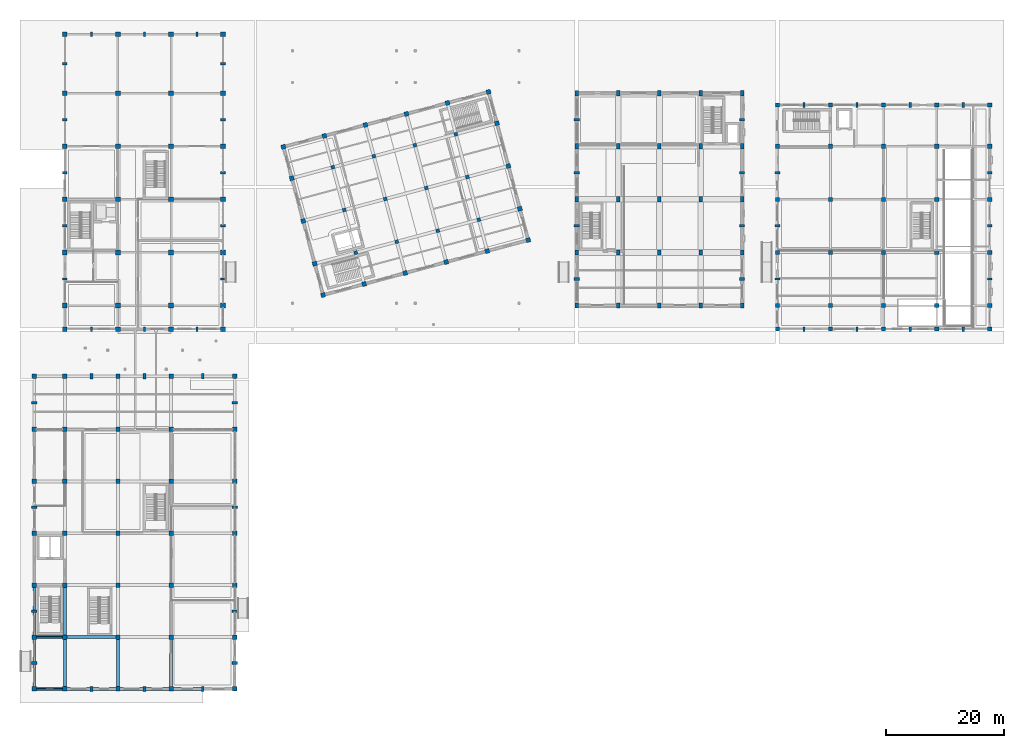
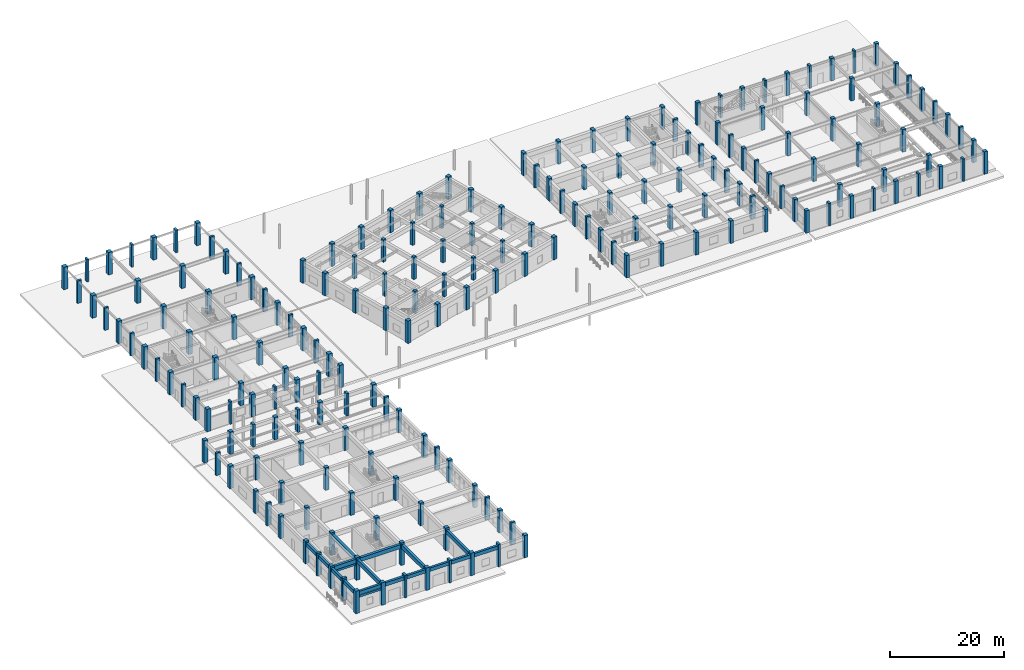
# One storey, part 1 of 47: 200 columns, 18 beams.
"""IFC4 building model written with IfcOpenShell, lengths in metres."""

from ifc_helpers import new_model, si_unit, direction, frame, origin, origin_2d, place, context, subcontext, project, spatial, rectangle, extrude, material, material_profile, profile_set, type_object, element, save


model = new_model("IFC4")

# Units and contexts
model_context = context("Model", 3, precision=1e-05, world=origin(), true_north=direction((0.0, 1.0)))
body_context = subcontext(model_context, "Body", "Model", "MODEL_VIEW")
ifc_project = project(units=[si_unit("LENGTHUNIT", "METRE"), si_unit("AREAUNIT", "SQUARE_METRE"), si_unit("VOLUMEUNIT", "CUBIC_METRE"), si_unit("PLANEANGLEUNIT", "RADIAN"), si_unit("MASSUNIT", "GRAM", prefix="KILO")], contexts=[model_context])

# Site, building, storey
site_placement = place(None, origin())
site = spatial("IfcSite", under=ifc_project, at=site_placement, CompositionType="ELEMENT")
building_placement = place(site_placement, origin())
building = spatial("IfcBuilding", under=site, at=building_placement, Name="Ventoquebrada Cableway Terminal", CompositionType="ELEMENT")
storey_placement = place(building_placement, origin())
storey = spatial("IfcBuildingStorey", under=building, at=storey_placement, Name="L00", CompositionType="ELEMENT", Elevation=0.0)

# Columns
ifc_material = material(Name="Concrete C40/50", Category="concrete")
ifc_material_profile_1 = material_profile(ifc_material, rectangle(XDim=0.60009765625, YDim=0.60009765625, at=origin_2d()), Name="RC-COL-600X600")
ifc_profile_set_1 = profile_set([ifc_material_profile_1], Name="Concrete C40/50")
column_type_1 = type_object("IfcColumnType", Name="COL-RC02", PredefinedType="COLUMN", material=ifc_profile_set_1)
for number, where, z_axis, x_axis, name in (
    (1, (57.509033203125, 76.9599609375, 0.0), (0.0, 0.0, 1.0), (0.965925826289, 0.258819045103, 0.0), "Structural column FC-0683"),
    (2, (55.568115234375, 84.205078125, 0.0), (0.0, 0.0, 1.0), (0.965925826289, 0.258819045103, 0.0), "Structural column FC-0686"),
    (3, (53.626953125, 91.448974609375, 0.0), (0.0, 0.0, 1.0), (0.965925826289, 0.258819045103, 0.0), "Structural column FC-0689"),
    (4, (64.464111328125, 78.823974609375, 0.0), (0.0, 0.0, 1.0), (0.965925826289, 0.258819045103, 0.0), "Structural column FC-0702"),
    (5, (62.52294921875, 86.068115234375, 0.0), (0.0, 0.0, 1.0), (0.965925826289, 0.258819045103, 0.0), "Structural column FC-0705"),
    (6, (60.58203125, 93.31298828125, 0.0), (0.0, 0.0, 1.0), (0.965925826289, 0.258819045103, 0.0), "Structural column FC-0708"),
    (7, (71.41796875, 80.68701171875, 0.0), (0.0, 0.0, 1.0), (0.965925826289, 0.258819045103, 0.0), "Structural column FC-0721"),
    (8, (69.47705078125, 87.931884765625, 0.0), (0.0, 0.0, 1.0), (0.965925826289, 0.258819045103, 0.0), "Structural column FC-0724"),
    (9, (67.535888671875, 95.176025390625, 0.0), (0.0, 0.0, 1.0), (0.965925826289, 0.258819045103, 0.0), "Structural column FC-0727"),
    (10, (78.373046875, 82.551025390625, 0.0), (0.0, 0.0, 1.0), (0.965925826289, 0.258819045103, 0.0), "Structural column FC-0740"),
    (11, (76.431884765625, 89.794921875, 0.0), (0.0, 0.0, 1.0), (0.965925826289, 0.258819045103, 0.0), "Structural column FC-0743"),
    (12, (74.490966796875, 97.0400390625, 0.0), (0.0, 0.0, 1.0), (0.965925826289, 0.258819045103, 0.0), "Structural column FC-0746"),
):
    element("IfcColumn", number, at=place(storey_placement, frame(where, z_axis=z_axis, x_axis=x_axis)), inside=storey, type_object=column_type_1, Name=name, PredefinedType="COLUMN", context=body_context, shape_type="SweptSolid", body=[
        extrude(rectangle(XDim=0.60009765625, YDim=0.60009765625, at=origin_2d()), origin(), (0.0, 0.0, 1.0), 4.800048828125),
    ])
ifc_material_profile_2 = material_profile(ifc_material, rectangle(XDim=0.699951171875, YDim=0.699951171875, at=origin_2d()), Name="RC-COL-700X700")
ifc_profile_set_2 = profile_set([ifc_material_profile_2], Name="Concrete C40/50")
column_type_2 = type_object("IfcColumnType", Name="COL-RC04", PredefinedType="COLUMN", material=ifc_profile_set_2)
for number, where, z_axis, x_axis, name in (
    (13, (129.0, 64.0, 0.0), (0.0, 0.0, 1.0), (1.0, 0.0, 0.0), "Structural column FC-0523"),
    (14, (129.0, 68.0, 0.0), (0.0, 0.0, 1.0), (1.0, 0.0, 0.0), "Structural column FC-0525"),
    (15, (129.0, 77.0, 0.0), (0.0, 0.0, 1.0), (1.0, 0.0, 0.0), "Structural column FC-0527"),
    (16, (129.0, 86.0, 0.0), (0.0, 0.0, 1.0), (1.0, 0.0, 0.0), "Structural column FC-0531"),
    (17, (129.0, 95.0, 0.0), (0.0, 0.0, 1.0), (1.0, 0.0, 0.0), "Structural column FC-0535"),
    (18, (129.0, 102.0, 0.0), (0.0, 0.0, 1.0), (1.0, 0.0, 0.0), "Structural column FC-0539"),
    (19, (138.0, 64.0, 0.0), (0.0, 0.0, 1.0), (1.0, 0.0, 0.0), "Structural column FC-0543"),
    (20, (138.0, 68.0, 0.0), (0.0, 0.0, 1.0), (1.0, 0.0, 0.0), "Structural column FC-0545"),
    (21, (138.0, 77.0, 0.0), (0.0, 0.0, 1.0), (1.0, 0.0, 0.0), "Structural column FC-0547"),
    (22, (138.0, 86.0, 0.0), (0.0, 0.0, 1.0), (1.0, 0.0, 0.0), "Structural column FC-0551"),
    (23, (138.0, 95.0, 0.0), (0.0, 0.0, 1.0), (1.0, 0.0, 0.0), "Structural column FC-0555"),
    (24, (138.0, 102.0, 0.0), (0.0, 0.0, 1.0), (1.0, 0.0, 0.0), "Structural column FC-0559"),
    (25, (147.0, 64.0, 0.0), (0.0, 0.0, 1.0), (1.0, 0.0, 0.0), "Structural column FC-0563"),
    (26, (147.0, 68.0, 0.0), (0.0, 0.0, 1.0), (1.0, 0.0, 0.0), "Structural column FC-0565"),
    (27, (147.0, 77.0, 0.0), (0.0, 0.0, 1.0), (1.0, 0.0, 0.0), "Structural column FC-0567"),
    (28, (147.0, 86.0, 0.0), (0.0, 0.0, 1.0), (1.0, 0.0, 0.0), "Structural column FC-0571"),
    (29, (147.0, 95.0, 0.0), (0.0, 0.0, 1.0), (1.0, 0.0, 0.0), "Structural column FC-0575"),
    (30, (147.0, 102.0, 0.0), (0.0, 0.0, 1.0), (1.0, 0.0, 0.0), "Structural column FC-0579"),
    (31, (156.0, 64.0, 0.0), (0.0, 0.0, 1.0), (1.0, 0.0, 0.0), "Structural column FC-0583"),
    (32, (156.0, 68.0, 0.0), (0.0, 0.0, 1.0), (1.0, 0.0, 0.0), "Structural column FC-0585"),
    (33, (156.0, 77.0, 0.0), (0.0, 0.0, 1.0), (1.0, 0.0, 0.0), "Structural column FC-0587"),
    (34, (156.0, 86.0, 0.0), (0.0, 0.0, 1.0), (1.0, 0.0, 0.0), "Structural column FC-0591"),
    (35, (156.0, 95.0, 0.0), (0.0, 0.0, 1.0), (1.0, 0.0, 0.0), "Structural column FC-0595"),
    (36, (156.0, 102.0, 0.0), (0.0, 0.0, 1.0), (1.0, 0.0, 0.0), "Structural column FC-0599"),
    (37, (165.0, 64.0, 0.0), (0.0, 0.0, 1.0), (1.0, 0.0, 0.0), "Structural column FC-0603"),
    (38, (165.0, 68.0, 0.0), (0.0, 0.0, 1.0), (1.0, 0.0, 0.0), "Structural column FC-0605"),
    (39, (165.0, 77.0, 0.0), (0.0, 0.0, 1.0), (1.0, 0.0, 0.0), "Structural column FC-0607"),
    (40, (165.0, 86.0, 0.0), (0.0, 0.0, 1.0), (1.0, 0.0, 0.0), "Structural column FC-0609"),
    (41, (165.0, 95.0, 0.0), (0.0, 0.0, 1.0), (1.0, 0.0, 0.0), "Structural column FC-0611"),
    (42, (165.0, 102.0, 0.0), (0.0, 0.0, 1.0), (1.0, 0.0, 0.0), "Structural column FC-0613"),
):
    element("IfcColumn", number, at=place(storey_placement, frame(where, z_axis=z_axis, x_axis=x_axis)), inside=storey, type_object=column_type_2, Name=name, PredefinedType="COLUMN", context=body_context, shape_type="SweptSolid", body=[
        extrude(rectangle(XDim=0.699951171875, YDim=0.699951171875, at=origin_2d()), origin(), (0.0, 0.0, 1.0), 4.800048828125),
    ])
ifc_material_profile_3 = material_profile(ifc_material, rectangle(XDim=0.75, YDim=0.75, at=origin_2d()), Name="RC-COL-750X750")
ifc_profile_set_3 = profile_set([ifc_material_profile_3], Name="Concrete C40/50")
column_type_3 = type_object("IfcColumnType", Name="COL-RC05", PredefinedType="COLUMN", material=ifc_profile_set_3)
for number, where, z_axis, x_axis, name in (
    (43, (3.0, 3.0, 0.0), (0.0, 0.0, 1.0), (1.0, 0.0, 0.0), "Structural column FC-0002"),
    (44, (3.0, 11.800048828125, 0.0), (0.0, 0.0, 1.0), (1.0, 0.0, 0.0), "Structural column FC-0005"),
    (45, (3.0, 20.60009765625, 0.0), (0.0, 0.0, 1.0), (1.0, 0.0, 0.0), "Structural column FC-0010"),
    (46, (3.0, 29.39990234375, 0.0), (0.0, 0.0, 1.0), (1.0, 0.0, 0.0), "Structural column FC-0015"),
    (47, (3.0, 38.199951171875, 0.0), (0.0, 0.0, 1.0), (1.0, 0.0, 0.0), "Structural column FC-0020"),
    (48, (3.0, 47.0, 0.0), (0.0, 0.0, 1.0), (1.0, 0.0, 0.0), "Structural column FC-0025"),
    (49, (3.0, 56.0, 0.0), (0.0, 0.0, 1.0), (1.0, 0.0, 0.0), "Structural column FC-0028"),
    (50, (8.199951171875, 3.0, 0.0), (0.0, 0.0, 1.0), (1.0, 0.0, 0.0), "Structural column FC-0030"),
    (51, (8.199951171875, 11.800048828125, 0.0), (0.0, 0.0, 1.0), (1.0, 0.0, 0.0), "Structural column FC-0033"),
    (52, (8.199951171875, 20.60009765625, 0.0), (0.0, 0.0, 1.0), (1.0, 0.0, 0.0), "Structural column FC-0038"),
    (53, (8.199951171875, 29.39990234375, 0.0), (0.0, 0.0, 1.0), (1.0, 0.0, 0.0), "Structural column FC-0043"),
    (54, (8.199951171875, 38.199951171875, 0.0), (0.0, 0.0, 1.0), (1.0, 0.0, 0.0), "Structural column FC-0048"),
    (55, (8.199951171875, 47.0, 0.0), (0.0, 0.0, 1.0), (1.0, 0.0, 0.0), "Structural column FC-0053"),
    (56, (8.199951171875, 56.0, 0.0), (0.0, 0.0, 1.0), (1.0, 0.0, 0.0), "Structural column FC-0056"),
    (57, (17.199951171875, 3.0, 0.0), (0.0, 0.0, 1.0), (1.0, 0.0, 0.0), "Structural column FC-0058"),
    (58, (17.199951171875, 11.800048828125, 0.0), (0.0, 0.0, 1.0), (1.0, 0.0, 0.0), "Structural column FC-0061"),
    (59, (17.199951171875, 20.60009765625, 0.0), (0.0, 0.0, 1.0), (1.0, 0.0, 0.0), "Structural column FC-0066"),
    (60, (17.199951171875, 29.39990234375, 0.0), (0.0, 0.0, 1.0), (1.0, 0.0, 0.0), "Structural column FC-0071"),
    (61, (17.199951171875, 38.199951171875, 0.0), (0.0, 0.0, 1.0), (1.0, 0.0, 0.0), "Structural column FC-0076"),
    (62, (17.199951171875, 47.0, 0.0), (0.0, 0.0, 1.0), (1.0, 0.0, 0.0), "Structural column FC-0081"),
    (63, (17.199951171875, 56.0, 0.0), (0.0, 0.0, 1.0), (1.0, 0.0, 0.0), "Structural column FC-0084"),
    (64, (26.199951171875, 3.0, 0.0), (0.0, 0.0, 1.0), (1.0, 0.0, 0.0), "Structural column FC-0086"),
    (65, (26.199951171875, 11.800048828125, 0.0), (0.0, 0.0, 1.0), (1.0, 0.0, 0.0), "Structural column FC-0089"),
    (66, (26.199951171875, 20.60009765625, 0.0), (0.0, 0.0, 1.0), (1.0, 0.0, 0.0), "Structural column FC-0094"),
    (67, (26.199951171875, 29.39990234375, 0.0), (0.0, 0.0, 1.0), (1.0, 0.0, 0.0), "Structural column FC-0099"),
    (68, (26.199951171875, 38.199951171875, 0.0), (0.0, 0.0, 1.0), (1.0, 0.0, 0.0), "Structural column FC-0104"),
    (69, (26.199951171875, 47.0, 0.0), (0.0, 0.0, 1.0), (1.0, 0.0, 0.0), "Structural column FC-0109"),
    (70, (26.199951171875, 56.0, 0.0), (0.0, 0.0, 1.0), (1.0, 0.0, 0.0), "Structural column FC-0112"),
    (71, (37.0, 3.0, 0.0), (0.0, 0.0, 1.0), (1.0, 0.0, 0.0), "Structural column FC-0114"),
    (72, (37.0, 11.800048828125, 0.0), (0.0, 0.0, 1.0), (1.0, 0.0, 0.0), "Structural column FC-0117"),
    (73, (37.0, 20.60009765625, 0.0), (0.0, 0.0, 1.0), (1.0, 0.0, 0.0), "Structural column FC-0120"),
    (74, (37.0, 29.39990234375, 0.0), (0.0, 0.0, 1.0), (1.0, 0.0, 0.0), "Structural column FC-0123"),
    (75, (37.0, 38.199951171875, 0.0), (0.0, 0.0, 1.0), (1.0, 0.0, 0.0), "Structural column FC-0126"),
    (76, (37.0, 47.0, 0.0), (0.0, 0.0, 1.0), (1.0, 0.0, 0.0), "Structural column FC-0129"),
    (77, (37.0, 56.0, 0.0), (0.0, 0.0, 1.0), (1.0, 0.0, 0.0), "Structural column FC-0132"),
    (78, (51.97802734375, 69.783935546875, 0.0), (0.0, 0.0, 1.0), (0.965925826289, 0.258819045103, 0.0), "Structural column FC-0653"),
    (79, (50.553955078125, 75.096923828125, 0.0), (0.0, 0.0, 1.0), (0.965925826289, 0.258819045103, 0.0), "Structural column FC-0658"),
    (80, (48.613037109375, 82.341064453125, 0.0), (0.0, 0.0, 1.0), (0.965925826289, 0.258819045103, 0.0), "Structural column FC-0663"),
    (81, (46.672119140625, 89.5859375, 0.0), (0.0, 0.0, 1.0), (0.965925826289, 0.258819045103, 0.0), "Structural column FC-0668"),
    (82, (45.2490234375, 94.89794921875, 0.0), (0.0, 0.0, 1.0), (0.965925826289, 0.258819045103, 0.0), "Structural column FC-0673"),
    (83, (58.93310546875, 71.64794921875, 0.0), (0.0, 0.0, 1.0), (0.965925826289, 0.258819045103, 0.0), "Structural column FC-0678"),
    (84, (52.202880859375, 96.761962890625, 0.0), (0.0, 0.0, 1.0), (0.965925826289, 0.258819045103, 0.0), "Structural column FC-0692"),
    (85, (65.886962890625, 73.510986328125, 0.0), (0.0, 0.0, 1.0), (0.965925826289, 0.258819045103, 0.0), "Structural column FC-0697"),
    (86, (59.157958984375, 98.625, 0.0), (0.0, 0.0, 1.0), (0.965925826289, 0.258819045103, 0.0), "Structural column FC-0711"),
    (87, (72.842041015625, 75.375, 0.0), (0.0, 0.0, 1.0), (0.965925826289, 0.258819045103, 0.0), "Structural column FC-0716"),
    (88, (66.113037109375, 100.489013671875, 0.0), (0.0, 0.0, 1.0), (0.965925826289, 0.258819045103, 0.0), "Structural column FC-0730"),
    (89, (79.797119140625, 77.238037109375, 0.0), (0.0, 0.0, 1.0), (0.965925826289, 0.258819045103, 0.0), "Structural column FC-0735"),
    (90, (73.06689453125, 102.35205078125, 0.0), (0.0, 0.0, 1.0), (0.965925826289, 0.258819045103, 0.0), "Structural column FC-0749"),
    (91, (86.7509765625, 79.10205078125, 0.0), (0.0, 0.0, 1.0), (0.965925826289, 0.258819045103, 0.0), "Structural column FC-0754"),
    (92, (85.327880859375, 84.4140625, 0.0), (0.0, 0.0, 1.0), (0.965925826289, 0.258819045103, 0.0), "Structural column FC-0759"),
    (93, (83.386962890625, 91.658935546875, 0.0), (0.0, 0.0, 1.0), (0.965925826289, 0.258819045103, 0.0), "Structural column FC-0764"),
    (94, (81.446044921875, 98.903076171875, 0.0), (0.0, 0.0, 1.0), (0.965925826289, 0.258819045103, 0.0), "Structural column FC-0769"),
    (95, (80.02197265625, 104.216064453125, 0.0), (0.0, 0.0, 1.0), (0.965925826289, 0.258819045103, 0.0), "Structural column FC-0774"),
):
    element("IfcColumn", number, at=place(storey_placement, frame(where, z_axis=z_axis, x_axis=x_axis)), inside=storey, type_object=column_type_3, Name=name, PredefinedType="COLUMN", context=body_context, shape_type="SweptSolid", body=[
        extrude(rectangle(XDim=0.75, YDim=0.75, at=origin_2d()), origin(), (0.0, 0.0, 1.0), 4.800048828125),
    ])
ifc_material_profile_4 = material_profile(ifc_material, rectangle(XDim=0.800048828125, YDim=0.800048828125, at=origin_2d()), Name="RC-COL-800X800")
ifc_profile_set_4 = profile_set([ifc_material_profile_4], Name="Concrete C40/50")
column_type_4 = type_object("IfcColumnType", Name="COL-RC06", PredefinedType="COLUMN", material=ifc_profile_set_4)
for number, where, z_axis, x_axis, name in (
    (96, (8.199951171875, 64.0, 0.0), (0.0, 0.0, 1.0), (1.0, 0.0, 0.0), "Structural column FC-0175"),
    (97, (8.199951171875, 68.0, 0.0), (0.0, 0.0, 1.0), (1.0, 0.0, 0.0), "Structural column FC-0178"),
    (98, (8.199951171875, 77.0, 0.0), (0.0, 0.0, 1.0), (1.0, 0.0, 0.0), "Structural column FC-0182"),
    (99, (8.199951171875, 86.0, 0.0), (0.0, 0.0, 1.0), (1.0, 0.0, 0.0), "Structural column FC-0189"),
    (100, (8.199951171875, 95.0, 0.0), (0.0, 0.0, 1.0), (1.0, 0.0, 0.0), "Structural column FC-0196"),
    (101, (8.199951171875, 104.0, 0.0), (0.0, 0.0, 1.0), (1.0, 0.0, 0.0), "Structural column FC-0203"),
    (102, (8.199951171875, 114.0, 0.0), (0.0, 0.0, 1.0), (1.0, 0.0, 0.0), "Structural column FC-0210"),
    (103, (17.199951171875, 64.0, 0.0), (0.0, 0.0, 1.0), (1.0, 0.0, 0.0), "Structural column FC-0215"),
    (104, (17.199951171875, 68.0, 0.0), (0.0, 0.0, 1.0), (1.0, 0.0, 0.0), "Structural column FC-0218"),
    (105, (17.199951171875, 77.0, 0.0), (0.0, 0.0, 1.0), (1.0, 0.0, 0.0), "Structural column FC-0222"),
    (106, (17.199951171875, 86.0, 0.0), (0.0, 0.0, 1.0), (1.0, 0.0, 0.0), "Structural column FC-0229"),
    (107, (17.199951171875, 95.0, 0.0), (0.0, 0.0, 1.0), (1.0, 0.0, 0.0), "Structural column FC-0236"),
    (108, (17.199951171875, 104.0, 0.0), (0.0, 0.0, 1.0), (1.0, 0.0, 0.0), "Structural column FC-0243"),
    (109, (17.199951171875, 114.0, 0.0), (0.0, 0.0, 1.0), (1.0, 0.0, 0.0), "Structural column FC-0250"),
    (110, (26.199951171875, 64.0, 0.0), (0.0, 0.0, 1.0), (1.0, 0.0, 0.0), "Structural column FC-0255"),
    (111, (26.199951171875, 68.0, 0.0), (0.0, 0.0, 1.0), (1.0, 0.0, 0.0), "Structural column FC-0258"),
    (112, (26.199951171875, 77.0, 0.0), (0.0, 0.0, 1.0), (1.0, 0.0, 0.0), "Structural column FC-0262"),
    (113, (26.199951171875, 86.0, 0.0), (0.0, 0.0, 1.0), (1.0, 0.0, 0.0), "Structural column FC-0269"),
    (114, (26.199951171875, 95.0, 0.0), (0.0, 0.0, 1.0), (1.0, 0.0, 0.0), "Structural column FC-0276"),
    (115, (26.199951171875, 104.0, 0.0), (0.0, 0.0, 1.0), (1.0, 0.0, 0.0), "Structural column FC-0283"),
    (116, (26.199951171875, 114.0, 0.0), (0.0, 0.0, 1.0), (1.0, 0.0, 0.0), "Structural column FC-0290"),
    (117, (35.0, 64.0, 0.0), (0.0, 0.0, 1.0), (1.0, 0.0, 0.0), "Structural column FC-0295"),
    (118, (35.0, 68.0, 0.0), (0.0, 0.0, 1.0), (1.0, 0.0, 0.0), "Structural column FC-0298"),
    (119, (35.0, 77.0, 0.0), (0.0, 0.0, 1.0), (1.0, 0.0, 0.0), "Structural column FC-0302"),
    (120, (35.0, 86.0, 0.0), (0.0, 0.0, 1.0), (1.0, 0.0, 0.0), "Structural column FC-0307"),
    (121, (35.0, 95.0, 0.0), (0.0, 0.0, 1.0), (1.0, 0.0, 0.0), "Structural column FC-0312"),
    (122, (35.0, 104.0, 0.0), (0.0, 0.0, 1.0), (1.0, 0.0, 0.0), "Structural column FC-0317"),
    (123, (35.0, 114.0, 0.0), (0.0, 0.0, 1.0), (1.0, 0.0, 0.0), "Structural column FC-0322"),
):
    element("IfcColumn", number, at=place(storey_placement, frame(where, z_axis=z_axis, x_axis=x_axis)), inside=storey, type_object=column_type_4, Name=name, PredefinedType="COLUMN", context=body_context, shape_type="SweptSolid", body=[
        extrude(rectangle(XDim=0.800048828125, YDim=0.800048828125, at=origin_2d()), origin(), (0.0, 0.0, 1.0), 4.800048828125),
    ])
ifc_material_profile_5 = material_profile(ifc_material, rectangle(XDim=0.60009765625, YDim=0.89990234375, at=origin_2d()), Name="RC-COL-900X600")
ifc_profile_set_5 = profile_set([ifc_material_profile_5], Name="Concrete C40/50")
column_type_5 = type_object("IfcColumnType", Name="COL-RC07", PredefinedType="COLUMN", material=ifc_profile_set_5)
for number, where, z_axis, x_axis, name in (
    (124, (95.0, 68.0, 0.0), (0.0, 0.0, 1.0), (1.0, 0.0, 0.0), "Structural column FC-0405"),
    (125, (95.0, 77.0, 0.0), (0.0, 0.0, 1.0), (1.0, 0.0, 0.0), "Structural column FC-0407"),
    (126, (95.0, 86.0, 0.0), (0.0, 0.0, 1.0), (1.0, 0.0, 0.0), "Structural column FC-0411"),
    (127, (95.0, 95.0, 0.0), (0.0, 0.0, 1.0), (1.0, 0.0, 0.0), "Structural column FC-0415"),
    (128, (95.0, 104.0, 0.0), (0.0, 0.0, 1.0), (1.0, 0.0, 0.0), "Structural column FC-0419"),
    (129, (102.0, 68.0, 0.0), (0.0, 0.0, 1.0), (1.0, 0.0, 0.0), "Structural column FC-0423"),
    (130, (102.0, 77.0, 0.0), (0.0, 0.0, 1.0), (1.0, 0.0, 0.0), "Structural column FC-0425"),
    (131, (102.0, 86.0, 0.0), (0.0, 0.0, 1.0), (1.0, 0.0, 0.0), "Structural column FC-0429"),
    (132, (102.0, 95.0, 0.0), (0.0, 0.0, 1.0), (1.0, 0.0, 0.0), "Structural column FC-0433"),
    (133, (102.0, 104.0, 0.0), (0.0, 0.0, 1.0), (1.0, 0.0, 0.0), "Structural column FC-0437"),
    (134, (109.0, 68.0, 0.0), (0.0, 0.0, 1.0), (1.0, 0.0, 0.0), "Structural column FC-0441"),
    (135, (109.0, 77.0, 0.0), (0.0, 0.0, 1.0), (1.0, 0.0, 0.0), "Structural column FC-0443"),
    (136, (109.0, 86.0, 0.0), (0.0, 0.0, 1.0), (1.0, 0.0, 0.0), "Structural column FC-0447"),
    (137, (109.0, 95.0, 0.0), (0.0, 0.0, 1.0), (1.0, 0.0, 0.0), "Structural column FC-0451"),
    (138, (109.0, 104.0, 0.0), (0.0, 0.0, 1.0), (1.0, 0.0, 0.0), "Structural column FC-0455"),
    (139, (116.0, 68.0, 0.0), (0.0, 0.0, 1.0), (1.0, 0.0, 0.0), "Structural column FC-0459"),
    (140, (116.0, 77.0, 0.0), (0.0, 0.0, 1.0), (1.0, 0.0, 0.0), "Structural column FC-0461"),
    (141, (116.0, 86.0, 0.0), (0.0, 0.0, 1.0), (1.0, 0.0, 0.0), "Structural column FC-0465"),
    (142, (116.0, 95.0, 0.0), (0.0, 0.0, 1.0), (1.0, 0.0, 0.0), "Structural column FC-0469"),
    (143, (116.0, 104.0, 0.0), (0.0, 0.0, 1.0), (1.0, 0.0, 0.0), "Structural column FC-0473"),
    (144, (123.0, 68.0, 0.0), (0.0, 0.0, 1.0), (1.0, 0.0, 0.0), "Structural column FC-0477"),
    (145, (123.0, 77.0, 0.0), (0.0, 0.0, 1.0), (1.0, 0.0, 0.0), "Structural column FC-0479"),
    (146, (123.0, 86.0, 0.0), (0.0, 0.0, 1.0), (1.0, 0.0, 0.0), "Structural column FC-0483"),
    (147, (123.0, 95.0, 0.0), (0.0, 0.0, 1.0), (1.0, 0.0, 0.0), "Structural column FC-0487"),
    (148, (123.0, 104.0, 0.0), (0.0, 0.0, 1.0), (1.0, 0.0, 0.0), "Structural column FC-0491"),
):
    element("IfcColumn", number, at=place(storey_placement, frame(where, z_axis=z_axis, x_axis=x_axis)), inside=storey, type_object=column_type_5, Name=name, PredefinedType="COLUMN", context=body_context, shape_type="SweptSolid", body=[
        extrude(rectangle(XDim=0.60009765625, YDim=0.89990234375, at=origin_2d()), origin(), (0.0, 0.0, 1.0), 4.800048828125),
    ])
ifc_material_profile_6 = material_profile(ifc_material, rectangle(XDim=0.39990234375, YDim=0.800048828125, at=origin_2d()), Name="RC-PIL-400X800")
ifc_profile_set_6 = profile_set([ifc_material_profile_6], Name="Concrete C40/50")
column_type_6 = type_object("IfcColumnType", Name="PIL-RC01", PredefinedType="PILASTER", material=ifc_profile_set_6)
for number, where, z_axis, x_axis, name in (
    (149, (12.699951171875, 64.0, 0.0), (0.0, 0.0, 1.0), (1.0, 0.0, 0.0), "Facade pilaster FPL-0327"),
    (150, (21.699951171875, 64.0, 0.0), (0.0, 0.0, 1.0), (1.0, 0.0, 0.0), "Facade pilaster FPL-0330"),
    (151, (30.60009765625, 64.0, 0.0), (0.0, 0.0, 1.0), (1.0, 0.0, 0.0), "Facade pilaster FPL-0333"),
    (152, (12.699951171875, 114.0, 0.0), (0.0, 0.0, 1.0), (1.0, 0.0, 0.0), "Facade pilaster FPL-0336"),
    (153, (21.699951171875, 114.0, 0.0), (0.0, 0.0, 1.0), (1.0, 0.0, 0.0), "Facade pilaster FPL-0341"),
    (154, (30.60009765625, 114.0, 0.0), (0.0, 0.0, 1.0), (1.0, 0.0, 0.0), "Facade pilaster FPL-0346"),
    (155, (8.199951171875, 72.5, 0.0), (0.0, 0.0, 1.0), (0.0, 1.0, 0.0), "Facade pilaster FPL-0351"),
    (156, (8.199951171875, 81.5, 0.0), (0.0, 0.0, 1.0), (0.0, 1.0, 0.0), "Facade pilaster FPL-0355"),
    (157, (8.199951171875, 90.5, 0.0), (0.0, 0.0, 1.0), (0.0, 1.0, 0.0), "Facade pilaster FPL-0362"),
    (158, (8.199951171875, 99.5, 0.0), (0.0, 0.0, 1.0), (0.0, 1.0, 0.0), "Facade pilaster FPL-0369"),
    (159, (8.199951171875, 109.0, 0.0), (0.0, 0.0, 1.0), (0.0, 1.0, 0.0), "Facade pilaster FPL-0376"),
    (160, (35.0, 72.5, 0.0), (0.0, 0.0, 1.0), (0.0, 1.0, 0.0), "Facade pilaster FPL-0381"),
    (161, (35.0, 81.5, 0.0), (0.0, 0.0, 1.0), (0.0, 1.0, 0.0), "Facade pilaster FPL-0385"),
    (162, (35.0, 90.5, 0.0), (0.0, 0.0, 1.0), (0.0, 1.0, 0.0), "Facade pilaster FPL-0390"),
    (163, (35.0, 99.5, 0.0), (0.0, 0.0, 1.0), (0.0, 1.0, 0.0), "Facade pilaster FPL-0395"),
    (164, (35.0, 109.0, 0.0), (0.0, 0.0, 1.0), (0.0, 1.0, 0.0), "Facade pilaster FPL-0400"),
    (165, (133.5, 64.0, 0.0), (0.0, 0.0, 1.0), (1.0, 0.0, 0.0), "Facade pilaster FPL-0615"),
    (166, (142.5, 64.0, 0.0), (0.0, 0.0, 1.0), (1.0, 0.0, 0.0), "Facade pilaster FPL-0617"),
    (167, (151.5, 64.0, 0.0), (0.0, 0.0, 1.0), (1.0, 0.0, 0.0), "Facade pilaster FPL-0619"),
    (168, (160.5, 64.0, 0.0), (0.0, 0.0, 1.0), (1.0, 0.0, 0.0), "Facade pilaster FPL-0621"),
    (169, (133.5, 102.0, 0.0), (0.0, 0.0, 1.0), (1.0, 0.0, 0.0), "Facade pilaster FPL-0623"),
    (170, (142.5, 102.0, 0.0), (0.0, 0.0, 1.0), (1.0, 0.0, 0.0), "Facade pilaster FPL-0627"),
    (171, (151.5, 102.0, 0.0), (0.0, 0.0, 1.0), (1.0, 0.0, 0.0), "Facade pilaster FPL-0631"),
    (172, (160.5, 102.0, 0.0), (0.0, 0.0, 1.0), (1.0, 0.0, 0.0), "Facade pilaster FPL-0635"),
    (173, (129.0, 72.5, 0.0), (0.0, 0.0, 1.0), (0.0, 1.0, 0.0), "Facade pilaster FPL-0637"),
    (174, (129.0, 81.5, 0.0), (0.0, 0.0, 1.0), (0.0, 1.0, 0.0), "Facade pilaster FPL-0639"),
    (175, (129.0, 90.5, 0.0), (0.0, 0.0, 1.0), (0.0, 1.0, 0.0), "Facade pilaster FPL-0643"),
    (176, (165.0, 72.5, 0.0), (0.0, 0.0, 1.0), (0.0, 1.0, 0.0), "Facade pilaster FPL-0647"),
    (177, (165.0, 81.5, 0.0), (0.0, 0.0, 1.0), (0.0, 1.0, 0.0), "Facade pilaster FPL-0649"),
    (178, (165.0, 90.5, 0.0), (0.0, 0.0, 1.0), (0.0, 1.0, 0.0), "Facade pilaster FPL-0651"),
):
    element("IfcColumn", number, at=place(storey_placement, frame(where, z_axis=z_axis, x_axis=x_axis)), inside=storey, type_object=column_type_6, Name=name, PredefinedType="PILASTER", context=body_context, shape_type="SweptSolid", body=[
        extrude(rectangle(XDim=0.39990234375, YDim=0.800048828125, at=origin_2d()), origin(), (0.0, 0.0, 1.0), 4.800048828125),
    ])
ifc_material_profile_7 = material_profile(ifc_material, rectangle(XDim=0.449951171875, YDim=0.89990234375, at=origin_2d()), Name="RC-PIL-450X900")
ifc_profile_set_7 = profile_set([ifc_material_profile_7], Name="Concrete C40/50")
column_type_7 = type_object("IfcColumnType", Name="PIL-RC02", PredefinedType="PILASTER", material=ifc_profile_set_7)
for number, where, z_axis, x_axis, name in (
    (179, (12.699951171875, 3.0, 0.0), (0.0, 0.0, 1.0), (1.0, 0.0, 0.0), "Facade pilaster FPL-0134"),
    (180, (21.699951171875, 3.0, 0.0), (0.0, 0.0, 1.0), (1.0, 0.0, 0.0), "Facade pilaster FPL-0137"),
    (181, (31.60009765625, 3.0, 0.0), (0.0, 0.0, 1.0), (1.0, 0.0, 0.0), "Facade pilaster FPL-0140"),
    (182, (12.699951171875, 56.0, 0.0), (0.0, 0.0, 1.0), (1.0, 0.0, 0.0), "Facade pilaster FPL-0143"),
    (183, (21.699951171875, 56.0, 0.0), (0.0, 0.0, 1.0), (1.0, 0.0, 0.0), "Facade pilaster FPL-0145"),
    (184, (31.60009765625, 56.0, 0.0), (0.0, 0.0, 1.0), (1.0, 0.0, 0.0), "Facade pilaster FPL-0147"),
    (185, (3.0, 7.39990234375, 0.0), (0.0, 0.0, 1.0), (0.0, 1.0, 0.0), "Facade pilaster FPL-0149"),
    (186, (3.0, 16.199951171875, 0.0), (0.0, 0.0, 1.0), (0.0, 1.0, 0.0), "Facade pilaster FPL-0152"),
    (187, (3.0, 33.800048828125, 0.0), (0.0, 0.0, 1.0), (0.0, 1.0, 0.0), "Facade pilaster FPL-0157"),
    (188, (3.0, 51.5, 0.0), (0.0, 0.0, 1.0), (0.0, 1.0, 0.0), "Facade pilaster FPL-0162"),
    (189, (37.0, 7.39990234375, 0.0), (0.0, 0.0, 1.0), (0.0, 1.0, 0.0), "Facade pilaster FPL-0164"),
    (190, (37.0, 16.199951171875, 0.0), (0.0, 0.0, 1.0), (0.0, 1.0, 0.0), "Facade pilaster FPL-0167"),
    (191, (37.0, 33.800048828125, 0.0), (0.0, 0.0, 1.0), (0.0, 1.0, 0.0), "Facade pilaster FPL-0170"),
    (192, (37.0, 51.5, 0.0), (0.0, 0.0, 1.0), (0.0, 1.0, 0.0), "Facade pilaster FPL-0173"),
    (193, (95.0, 72.5, 0.0), (0.0, 0.0, 1.0), (0.0, 1.0, 0.0), "Facade pilaster FPL-0495"),
    (194, (95.0, 81.5, 0.0), (0.0, 0.0, 1.0), (0.0, 1.0, 0.0), "Facade pilaster FPL-0497"),
    (195, (95.0, 90.5, 0.0), (0.0, 0.0, 1.0), (0.0, 1.0, 0.0), "Facade pilaster FPL-0501"),
    (196, (95.0, 99.5, 0.0), (0.0, 0.0, 1.0), (0.0, 1.0, 0.0), "Facade pilaster FPL-0505"),
    (197, (123.0, 72.5, 0.0), (0.0, 0.0, 1.0), (0.0, 1.0, 0.0), "Facade pilaster FPL-0509"),
    (198, (123.0, 81.5, 0.0), (0.0, 0.0, 1.0), (0.0, 1.0, 0.0), "Facade pilaster FPL-0511"),
    (199, (123.0, 90.5, 0.0), (0.0, 0.0, 1.0), (0.0, 1.0, 0.0), "Facade pilaster FPL-0515"),
    (200, (123.0, 99.5, 0.0), (0.0, 0.0, 1.0), (0.0, 1.0, 0.0), "Facade pilaster FPL-0519"),
):
    element("IfcColumn", number, at=place(storey_placement, frame(where, z_axis=z_axis, x_axis=x_axis)), inside=storey, type_object=column_type_7, Name=name, PredefinedType="PILASTER", context=body_context, shape_type="SweptSolid", body=[
        extrude(rectangle(XDim=0.449951171875, YDim=0.89990234375, at=origin_2d()), origin(), (0.0, 0.0, 1.0), 4.800048828125),
    ])

# Beams
ifc_material_profile_8 = material_profile(ifc_material, rectangle(XDim=0.5, YDim=0.85009765625, at=origin_2d()), Name="RC-BM-500X850")
ifc_profile_set_8 = profile_set([ifc_material_profile_8], Name="Concrete C40/50")
beam_type_1 = type_object("IfcBeamType", Name="BM-RC04", PredefinedType="BEAM", material=ifc_profile_set_8)
beam_1_placement = place(storey_placement, frame((3.0, 11.800048828125, 4.014892578125), z_axis=(1.0, 0.0, 0.0), x_axis=(0.0, 1.0, 0.0)))
element("IfcBeam", 201, at=beam_1_placement, inside=storey, type_object=beam_type_1, Name="Primary frame girder FBM-0080", PredefinedType="BEAM", context=body_context, shape_type="SweptSolid", body=[
    extrude(rectangle(XDim=0.5, YDim=0.85009765625, at=origin_2d()), origin(), (0.0, 0.0, 1.0), 5.199951171875),
])
beam_2_placement = place(storey_placement, frame((8.199951171875, 11.800048828125, 4.014892578125), z_axis=(1.0, 0.0, 0.0), x_axis=(0.0, 1.0, 0.0)))
element("IfcBeam", 202, at=beam_2_placement, inside=storey, type_object=beam_type_1, Name="Primary frame girder FBM-0081", PredefinedType="BEAM", context=body_context, shape_type="SweptSolid", body=[
    extrude(rectangle(XDim=0.5, YDim=0.85009765625, at=origin_2d()), origin(), (0.0, 0.0, 1.0), 9.0),
])
for number, where, z_axis, x_axis, name in (
    (203, (8.199951171875, 3.0, 4.014892578125), (0.0, 1.0, 0.0), (-1.0, 0.0, 0.0), "Primary frame girder FBM-0117"),
    (204, (8.199951171875, 11.800048828125, 4.014892578125), (0.0, 1.0, 0.0), (-1.0, 0.0, 0.0), "Primary frame girder FBM-0118"),
    (205, (17.199951171875, 3.0, 4.014892578125), (0.0, 1.0, 0.0), (-1.0, 0.0, 0.0), "Primary frame girder FBM-0123"),
    (206, (26.199951171875, 3.0, 3.955078125), (0.0, 1.0, 0.0), (-1.0, 0.0, 0.0), "Primary frame girder FBM-0129"),
):
    element("IfcBeam", number, at=place(storey_placement, frame(where, z_axis=z_axis, x_axis=x_axis)), inside=storey, type_object=beam_type_1, Name=name, PredefinedType="BEAM", context=body_context, shape_type="SweptSolid", body=[
        extrude(rectangle(XDim=0.5, YDim=0.85009765625, at=origin_2d()), origin(), (0.0, 0.0, 1.0), 8.800048828125),
    ])
ifc_material_profile_9 = material_profile(ifc_material, rectangle(XDim=0.300048828125, YDim=0.449951171875, at=origin_2d()), Name="RC-LNT-300X450")
ifc_profile_set_9 = profile_set([ifc_material_profile_9], Name="Concrete C40/50")
beam_type_2 = type_object("IfcBeamType", Name="LN-RC01", PredefinedType="LINTEL", material=ifc_profile_set_9)
for number, where, z_axis, x_axis, name in (
    (207, (3.0, 3.0, 3.324951171875), (1.0, 0.0, 0.0), (0.0, 1.0, 0.0), "Portal opening lintel beam LN-001"),
    (208, (3.0, 11.800048828125, 3.324951171875), (1.0, 0.0, 0.0), (0.0, 1.0, 0.0), "Portal opening lintel beam LN-002"),
):
    element("IfcBeam", number, at=place(storey_placement, frame(where, z_axis=z_axis, x_axis=x_axis)), inside=storey, type_object=beam_type_2, Name=name, PredefinedType="LINTEL", context=body_context, shape_type="SweptSolid", body=[
        extrude(rectangle(XDim=0.300048828125, YDim=0.449951171875, at=origin_2d()), origin(), (0.0, 0.0, 1.0), 5.199951171875),
    ])
ifc_material_profile_10 = material_profile(ifc_material, rectangle(XDim=0.449951171875, YDim=0.75, at=origin_2d()), Name="RC-BM-450X750")
ifc_profile_set_10 = profile_set([ifc_material_profile_10], Name="Concrete C40/50")
beam_type_3 = type_object("IfcBeamType", Name="SP-RC02", PredefinedType="SPANDREL", material=ifc_profile_set_10)
beam_3_placement = place(storey_placement, frame((3.0, 3.0, 4.06494140625), z_axis=(1.0, 0.0, 0.0), x_axis=(0.0, 1.0, 0.0)))
element("IfcBeam", 209, at=beam_3_placement, inside=storey, type_object=beam_type_3, Name="Perimeter spandrel beam FBM-0073", PredefinedType="SPANDREL", context=body_context, shape_type="SweptSolid", body=[
    extrude(rectangle(XDim=0.449951171875, YDim=0.75, at=origin_2d()), origin(), (0.0, 0.0, 1.0), 5.199951171875),
])
for number, where, z_axis, x_axis, name in (
    (210, (8.199951171875, 3.0, 4.06494140625), (1.0, 0.0, 0.0), (0.0, 1.0, 0.0), "Perimeter spandrel beam FBM-0074"),
    (211, (12.699951171875, 3.0, 4.06494140625), (1.0, 0.0, 0.0), (0.0, 1.0, 0.0), "Perimeter spandrel beam FBM-0075"),
    (212, (17.199951171875, 3.0, 4.06494140625), (1.0, 0.0, 0.0), (0.0, 1.0, 0.0), "Perimeter spandrel beam FBM-0076"),
    (213, (21.699951171875, 3.0, 4.06494140625), (1.0, 0.0, 0.0), (0.0, 1.0, 0.0), "Perimeter spandrel beam FBM-0077"),
):
    element("IfcBeam", number, at=place(storey_placement, frame(where, z_axis=z_axis, x_axis=x_axis)), inside=storey, type_object=beam_type_3, Name=name, PredefinedType="SPANDREL", context=body_context, shape_type="SweptSolid", body=[
        extrude(rectangle(XDim=0.449951171875, YDim=0.75, at=origin_2d()), origin(), (0.0, 0.0, 1.0), 4.5),
    ])
beam_4_placement = place(storey_placement, frame((26.199951171875, 3.0, 4.0048828125), z_axis=(1.0, 0.0, 0.0), x_axis=(0.0, 1.0, 0.0)))
element("IfcBeam", 214, at=beam_4_placement, inside=storey, type_object=beam_type_3, Name="Perimeter spandrel beam FBM-0078", PredefinedType="SPANDREL", context=body_context, shape_type="SweptSolid", body=[
    extrude(rectangle(XDim=0.449951171875, YDim=0.75, at=origin_2d()), origin(), (0.0, 0.0, 1.0), 5.400146484375),
])
beam_5_placement = place(storey_placement, frame((3.0, 3.0, 4.06494140625), z_axis=(0.0, 1.0, 0.0), x_axis=(-1.0, 0.0, 0.0)))
element("IfcBeam", 215, at=beam_5_placement, inside=storey, type_object=beam_type_3, Name="Perimeter spandrel beam FBM-0107", PredefinedType="SPANDREL", context=body_context, shape_type="SweptSolid", body=[
    extrude(rectangle(XDim=0.449951171875, YDim=0.75, at=origin_2d()), origin(), (0.0, 0.0, 1.0), 4.39990234375),
])
beam_6_placement = place(storey_placement, frame((3.0, 7.39990234375, 4.06494140625), z_axis=(0.0, 1.0, 0.0), x_axis=(-1.0, 0.0, 0.0)))
element("IfcBeam", 216, at=beam_6_placement, inside=storey, type_object=beam_type_3, Name="Perimeter spandrel beam FBM-0108", PredefinedType="SPANDREL", context=body_context, shape_type="SweptSolid", body=[
    extrude(rectangle(XDim=0.449951171875, YDim=0.75, at=origin_2d()), origin(), (0.0, 0.0, 1.0), 4.400146484375),
])
beam_7_placement = place(storey_placement, frame((3.0, 11.800048828125, 4.06494140625), z_axis=(0.0, 1.0, 0.0), x_axis=(-1.0, 0.0, 0.0)))
element("IfcBeam", 217, at=beam_7_placement, inside=storey, type_object=beam_type_3, Name="Perimeter spandrel beam FBM-0109", PredefinedType="SPANDREL", context=body_context, shape_type="SweptSolid", body=[
    extrude(rectangle(XDim=0.449951171875, YDim=0.75, at=origin_2d()), origin(), (0.0, 0.0, 1.0), 4.39990234375),
])
beam_8_placement = place(storey_placement, frame((3.0, 16.199951171875, 4.06494140625), z_axis=(0.0, 1.0, 0.0), x_axis=(-1.0, 0.0, 0.0)))
element("IfcBeam", 218, at=beam_8_placement, inside=storey, type_object=beam_type_3, Name="Perimeter spandrel beam FBM-0110", PredefinedType="SPANDREL", context=body_context, shape_type="SweptSolid", body=[
    extrude(rectangle(XDim=0.449951171875, YDim=0.75, at=origin_2d()), origin(), (0.0, 0.0, 1.0), 4.400146484375),
])

save(model, "model.ifc")
